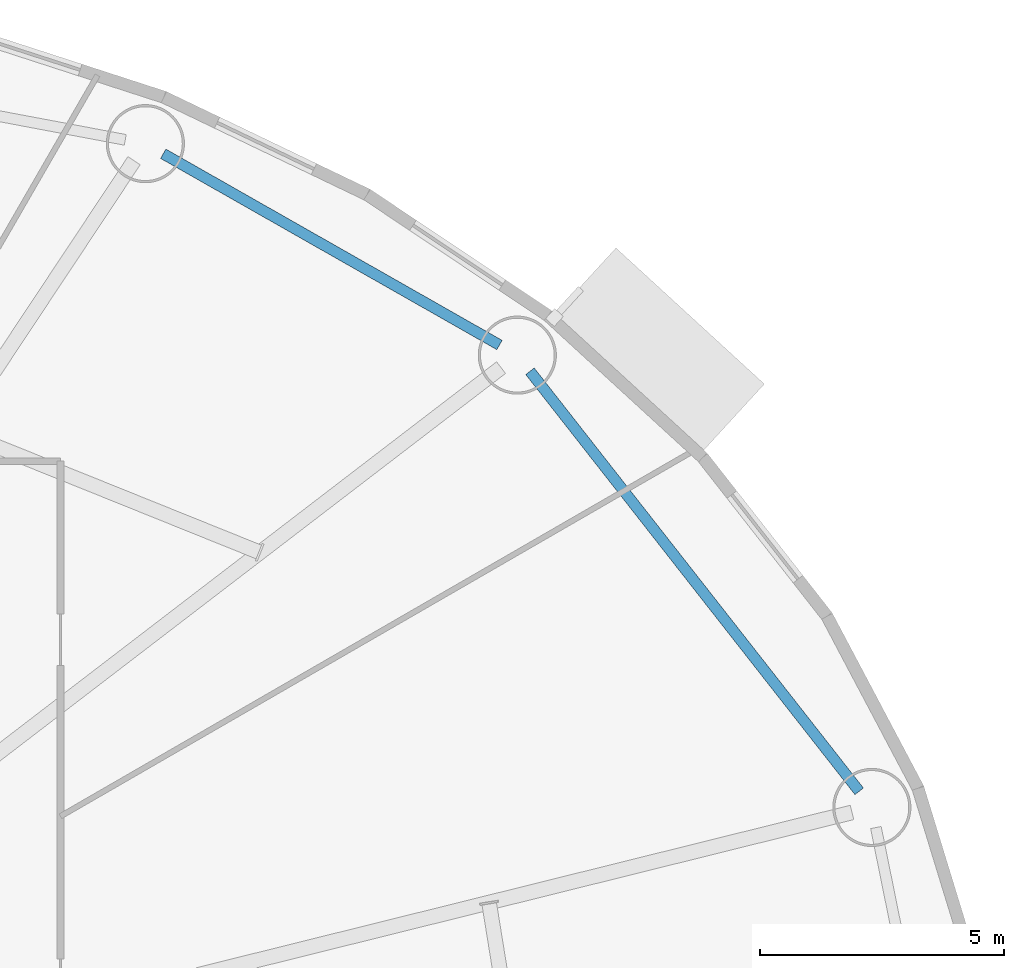
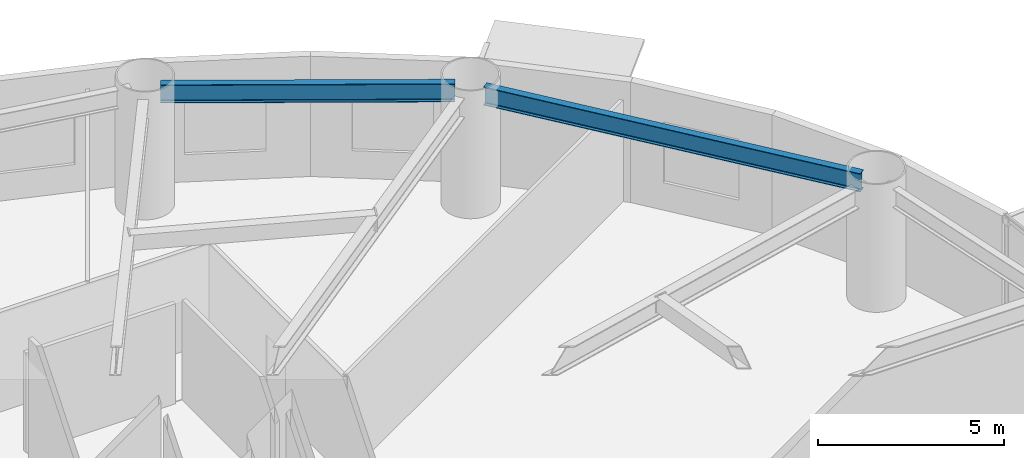
# One storey, part 13 of 35: 2 beams.
"""IFC4 building model written with IfcOpenShell, lengths in metres."""

from ifc_helpers import new_model, si_unit, direction, frame, origin, origin_2d, place, context, subcontext, project, spatial, i_section, extrude, material, material_profile, profile_set, type_object, element, save


model = new_model("IFC4")

# Units and contexts
model_context = context("Model", 3, precision=1e-05, world=origin(), true_north=direction((0.0, 1.0)))
body_context = subcontext(model_context, "Body", "Model", "MODEL_VIEW")
ifc_project = project(units=[si_unit("LENGTHUNIT", "METRE"), si_unit("AREAUNIT", "SQUARE_METRE"), si_unit("VOLUMEUNIT", "CUBIC_METRE"), si_unit("PLANEANGLEUNIT", "RADIAN"), si_unit("MASSUNIT", "GRAM", prefix="KILO")], contexts=[model_context])

# Site, building, storey
site_placement = place(None, origin())
site = spatial("IfcSite", under=ifc_project, at=site_placement, CompositionType="ELEMENT")
building_placement = place(site_placement, origin())
building = spatial("IfcBuilding", under=site, at=building_placement, Name="Linh Dai School and Residence Tower", CompositionType="ELEMENT")
storey_placement = place(building_placement, frame((0.0, 0.0, 49.199951171875)))
storey = spatial("IfcBuildingStorey", under=building, at=storey_placement, Name="L11", CompositionType="ELEMENT", Elevation=49.199951171875)

# Beams
ifc_material = material(Name="Structural Steel S355JR", Category="steel")
ifc_material_profile = material_profile(ifc_material, i_section(OverallWidth=0.219970703125, OverallDepth=0.60009765625, WebThickness=0.011962890625, FlangeThickness=0.01904296875, FilletRadius=0.02392578125, at=origin_2d()), Name="IPE 600")
ifc_profile_set = profile_set([ifc_material_profile], Name="Structural Steel S355JR")
beam_type = type_object("IfcBeamType", Name="BM-RB60", PredefinedType="BEAM", material=ifc_profile_set)
beam_1_placement = place(storey_placement, frame((64.351806640625, 34.439208984375, 3.650146484375), z_axis=(-0.616878670407, 0.787058260866, 0.0), x_axis=(-0.787058260866, -0.616878670407, 0.0)))
element("IfcBeam", 1, at=beam_1_placement, inside=storey, type_object=beam_type, Name="L11 Perimeter Elliptical Ring Beam 02", PredefinedType="BEAM", context=body_context, shape_type="SweptSolid", body=[
    extrude(i_section(OverallWidth=0.219970703125, OverallDepth=0.60009765625, WebThickness=0.011962890625, FlangeThickness=0.01904296875, FilletRadius=0.02392578125, at=origin_2d()), origin(), (0.0, 0.0, 1.0), 10.926025390625),
])
beam_2_placement = place(storey_placement, frame((56.987548828125, 43.57666015625, 3.650146484375), z_axis=(-0.869271416992, 0.494335112653, 0.0), x_axis=(-0.494335112653, -0.869271416992, 0.0)))
element("IfcBeam", 2, at=beam_2_placement, inside=storey, type_object=beam_type, Name="L11 Perimeter Elliptical Ring Beam 03", PredefinedType="BEAM", context=body_context, shape_type="SweptSolid", body=[
    extrude(i_section(OverallWidth=0.219970703125, OverallDepth=0.60009765625, WebThickness=0.011962890625, FlangeThickness=0.01904296875, FilletRadius=0.02392578125, at=origin_2d()), origin(), (0.0, 0.0, 1.0), 7.91943359375),
])

save(model, "model.ifc")
